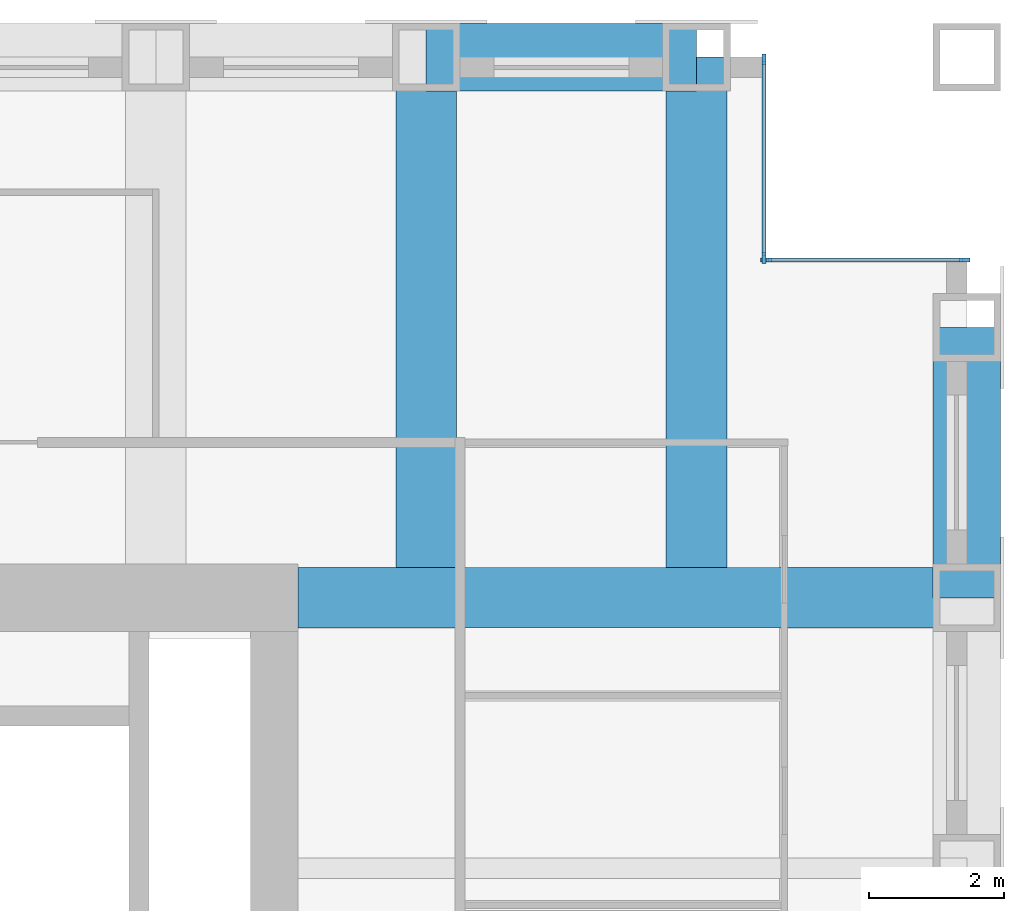
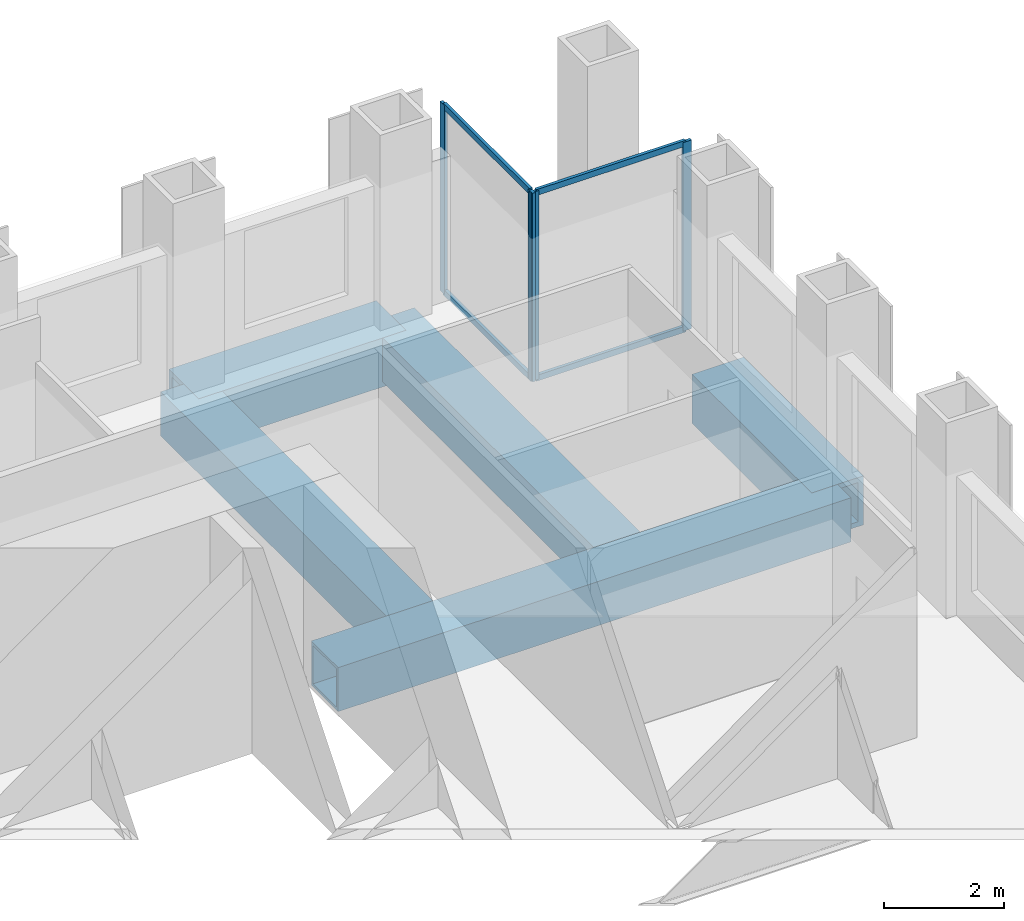
# One storey, part 6 of 13: 8 members, 5 beams, 2 elements without a shape of their own.
"""IFC4 building model written with IfcOpenShell, lengths in metres."""

from ifc_helpers import new_model, si_unit, direction, frame, origin, origin_2d, place, context, subcontext, project, spatial, rectangle, hollow_rectangle, extrude, material, material_profile, profile_set, type_object, element, aggregate, save


model = new_model("IFC4")

# Units and contexts
model_context = context("Model", 3, precision=1e-05, world=origin(), true_north=direction((0.0, 1.0)))
body_context = subcontext(model_context, "Body", "Model", "MODEL_VIEW")
ifc_project = project(units=[si_unit("LENGTHUNIT", "METRE"), si_unit("AREAUNIT", "SQUARE_METRE"), si_unit("VOLUMEUNIT", "CUBIC_METRE"), si_unit("PLANEANGLEUNIT", "RADIAN"), si_unit("MASSUNIT", "GRAM", prefix="KILO")], contexts=[model_context])

# Site, building, storey
site_placement = place(None, origin())
site = spatial("IfcSite", under=ifc_project, at=site_placement, CompositionType="ELEMENT")
building_placement = place(site_placement, origin())
building = spatial("IfcBuilding", under=site, at=building_placement, Name="Rimbunsela Tower", CompositionType="ELEMENT")
storey_placement = place(building_placement, frame((0.0, 0.0, 290.199951171875)))
storey = spatial("IfcBuildingStorey", under=building, at=storey_placement, Name="L70", CompositionType="ELEMENT", Elevation=290.199951171875)

# Beams
ifc_material_1 = material(Name="Steel BJ 55 (fy 410 MPa)", Category="steel")
ifc_material_profile_1 = material_profile(ifc_material_1, hollow_rectangle(XDim=1.0, YDim=1.0, WallThickness=0.10009765625, at=origin_2d()), Name="BOX 1000x1000x100")
ifc_profile_set_1 = profile_set([ifc_material_profile_1], Name="Steel BJ 55 (fy 410 MPa)")
beam_type_1 = type_object("IfcBeamType", Name="Beam BOX 1000x1000x100", PredefinedType="BEAM", material=ifc_profile_set_1)
for number, where, z_axis, x_axis, name in (
    (1, (38.0, 44.0, -0.64990234375), (1.0, 0.0, 0.0), (0.0, 1.0, 0.0), "Beam B3 L70"),
    (2, (46.0, 36.0, -0.64990234375), (0.0, 1.0, 0.0), (-1.0, 0.0, 0.0), "Beam B3 L70"),
):
    element("IfcBeam", number, at=place(storey_placement, frame(where, z_axis=z_axis, x_axis=x_axis)), inside=storey, type_object=beam_type_1, Name=name, PredefinedType="BEAM", context=body_context, shape_type="SweptSolid", body=[
        extrude(hollow_rectangle(XDim=1.0, YDim=1.0, WallThickness=0.10009765625, at=origin_2d()), origin(), (0.0, 0.0, 1.0), 4.0),
    ])
ifc_material_2 = material(Name="Steel BJ 55 (fy 410 MPa)", Category="steel")
ifc_material_profile_2 = material_profile(ifc_material_2, hollow_rectangle(XDim=0.89990234375, YDim=0.89990234375, WallThickness=0.06005859375, at=origin_2d()), Name="BOX 900x900x60")
ifc_profile_set_2 = profile_set([ifc_material_profile_2], Name="Steel BJ 55 (fy 410 MPa)")
beam_type_2 = type_object("IfcBeamType", Name="Beam BOX 900x900x60", PredefinedType="BEAM", material=ifc_profile_set_2)
beam_placement = place(storey_placement, frame((36.10009765625, 36.0, -0.599853515625), z_axis=(1.0, 0.0, 0.0), x_axis=(0.0, 1.0, 0.0)))
element("IfcBeam", 3, at=beam_placement, inside=storey, type_object=beam_type_2, Name="Beam B1 L70", PredefinedType="BEAM", context=body_context, shape_type="SweptSolid", body=[
    extrude(hollow_rectangle(XDim=0.89990234375, YDim=0.89990234375, WallThickness=0.06005859375, at=origin_2d()), origin(), (0.0, 0.0, 1.0), 9.89990234375),
])
for number, where, z_axis, x_axis, name in (
    (4, (38.0, 36.449951171875, -0.599853515625), (0.0, 1.0, 0.0), (-1.0, 0.0, 0.0), "Beam B1 L70"),
    (5, (42.0, 36.449951171875, -0.599853515625), (0.0, 1.0, 0.0), (-1.0, 0.0, 0.0), "Beam B1 L70"),
):
    element("IfcBeam", number, at=place(storey_placement, frame(where, z_axis=z_axis, x_axis=x_axis)), inside=storey, type_object=beam_type_2, Name=name, PredefinedType="BEAM", context=body_context, shape_type="SweptSolid", body=[
        extrude(hollow_rectangle(XDim=0.89990234375, YDim=0.89990234375, WallThickness=0.06005859375, at=origin_2d()), origin(), (0.0, 0.0, 1.0), 7.550048828125),
    ])

# Curtain wall, members
ifc_material_3 = material(Name="Aluminium curtain wall", Category="aluminium")
curtain_wall_type = type_object("IfcCurtainWallType", Name="Corner glazing", PredefinedType="USERDEFINED", material=ifc_material_3)
curtain_wall_1_placement = place(storey_placement, origin())
curtain_wall_1 = element("IfcCurtainWall", 6, at=curtain_wall_1_placement, inside=storey, type_object=curtain_wall_type, Name="Corner glazing L70", ObjectType="CORNER GLAZING", PredefinedType="USERDEFINED")
ifc_material_4 = material(Name="Aluminium mullion", Category="aluminium")
ifc_material_profile_3 = material_profile(ifc_material_4, rectangle(XDim=0.06005859375, YDim=0.159912109375, at=origin_2d()), Name="Mullion 60x160")
ifc_profile_set_3 = profile_set([ifc_material_profile_3], Name="Aluminium mullion")
member_type_1 = type_object("IfcMemberType", Name="Curtain wall mullion 60x160", PredefinedType="MULLION", material=ifc_profile_set_3)
member_1_placement = place(storey_placement, frame((45.969970703125, 41.0, 0.0), z_axis=(0.0, 0.0, 1.0), x_axis=(0.0, -1.0, 0.0)))
member_1 = element("IfcMember", 7, at=member_1_placement, type_object=member_type_1, Name="CW5 mullion 1", PredefinedType="MULLION", context=body_context, shape_type="SweptSolid", body=[
    extrude(rectangle(XDim=0.06005859375, YDim=0.159912109375, at=origin_2d()), origin(), (0.0, 0.0, 1.0), 3.85009765625),
])
member_2_placement = place(storey_placement, frame((43.030029296875, 41.0, 0.0), z_axis=(0.0, 0.0, 1.0), x_axis=(0.0, -1.0, 0.0)))
member_2 = element("IfcMember", 8, at=member_2_placement, type_object=member_type_1, Name="CW5 mullion 2", PredefinedType="MULLION", context=body_context, shape_type="SweptSolid", body=[
    extrude(rectangle(XDim=0.06005859375, YDim=0.159912109375, at=origin_2d()), origin(), (0.0, 0.0, 1.0), 3.85009765625),
])

curtain_wall_2_placement = place(storey_placement, origin())
curtain_wall_2 = element("IfcCurtainWall", 9, at=curtain_wall_2_placement, inside=storey, type_object=curtain_wall_type, Name="Corner glazing L70", ObjectType="CORNER GLAZING", PredefinedType="USERDEFINED")
member_3_placement = place(storey_placement, frame((43.0, 41.030029296875, 0.0), z_axis=(0.0, 0.0, 1.0), x_axis=(-1.0, 0.0, 0.0)))
member_3 = element("IfcMember", 10, at=member_3_placement, type_object=member_type_1, Name="CW5 mullion 1", PredefinedType="MULLION", context=body_context, shape_type="SweptSolid", body=[
    extrude(rectangle(XDim=0.06005859375, YDim=0.159912109375, at=origin_2d()), origin(), (0.0, 0.0, 1.0), 3.85009765625),
])
member_4_placement = place(storey_placement, frame((43.0, 43.969970703125, 0.0), z_axis=(0.0, 0.0, 1.0), x_axis=(-1.0, 0.0, 0.0)))
member_4 = element("IfcMember", 11, at=member_4_placement, type_object=member_type_1, Name="CW5 mullion 2", PredefinedType="MULLION", context=body_context, shape_type="SweptSolid", body=[
    extrude(rectangle(XDim=0.06005859375, YDim=0.159912109375, at=origin_2d()), origin(), (0.0, 0.0, 1.0), 3.85009765625),
])

# Member
ifc_material_5 = material(Name="Aluminium transom", Category="aluminium")
ifc_material_profile_4 = material_profile(ifc_material_5, rectangle(XDim=0.06005859375, YDim=0.1201171875, at=origin_2d()), Name="Transom 60x120")
ifc_profile_set_4 = profile_set([ifc_material_profile_4], Name="Aluminium transom")
member_type_2 = type_object("IfcMemberType", Name="Curtain wall transom 60x120", PredefinedType="USERDEFINED", material=ifc_profile_set_4)
member_5_placement = place(storey_placement, frame((45.93994140625, 41.0, 0.030029296875), z_axis=(-1.0, 0.0, 0.0), x_axis=(0.0, -1.0, 0.0)))
member_5 = element("IfcMember", 12, at=member_5_placement, type_object=member_type_2, Name="CW5 transom 1.1", ObjectType="TRANSOM", PredefinedType="USERDEFINED", context=body_context, shape_type="SweptSolid", body=[
    extrude(rectangle(XDim=0.06005859375, YDim=0.1201171875, at=origin_2d()), origin(), (0.0, 0.0, 1.0), 2.8798828125),
])

member_6_placement = place(storey_placement, frame((45.93994140625, 41.0, 3.820068359375), z_axis=(-1.0, 0.0, 0.0), x_axis=(0.0, -1.0, 0.0)))
member_6 = element("IfcMember", 13, at=member_6_placement, type_object=member_type_2, Name="CW5 transom 1.2", ObjectType="TRANSOM", PredefinedType="USERDEFINED", context=body_context, shape_type="SweptSolid", body=[
    extrude(rectangle(XDim=0.06005859375, YDim=0.1201171875, at=origin_2d()), origin(), (0.0, 0.0, 1.0), 2.8798828125),
])

aggregate(curtain_wall_1, [member_1, member_2, member_5, member_6])

member_7_placement = place(storey_placement, frame((43.0, 41.06005859375, 0.030029296875), z_axis=(0.0, 1.0, 0.0), x_axis=(-1.0, 0.0, 0.0)))
member_7 = element("IfcMember", 14, at=member_7_placement, type_object=member_type_2, Name="CW5 transom 1.1", ObjectType="TRANSOM", PredefinedType="USERDEFINED", context=body_context, shape_type="SweptSolid", body=[
    extrude(rectangle(XDim=0.06005859375, YDim=0.1201171875, at=origin_2d()), origin(), (0.0, 0.0, 1.0), 2.8798828125),
])

member_8_placement = place(storey_placement, frame((43.0, 41.06005859375, 3.820068359375), z_axis=(0.0, 1.0, 0.0), x_axis=(-1.0, 0.0, 0.0)))
member_8 = element("IfcMember", 15, at=member_8_placement, type_object=member_type_2, Name="CW5 transom 1.2", ObjectType="TRANSOM", PredefinedType="USERDEFINED", context=body_context, shape_type="SweptSolid", body=[
    extrude(rectangle(XDim=0.06005859375, YDim=0.1201171875, at=origin_2d()), origin(), (0.0, 0.0, 1.0), 2.8798828125),
])

aggregate(curtain_wall_2, [member_3, member_4, member_7, member_8])

save(model, "model.ifc")
